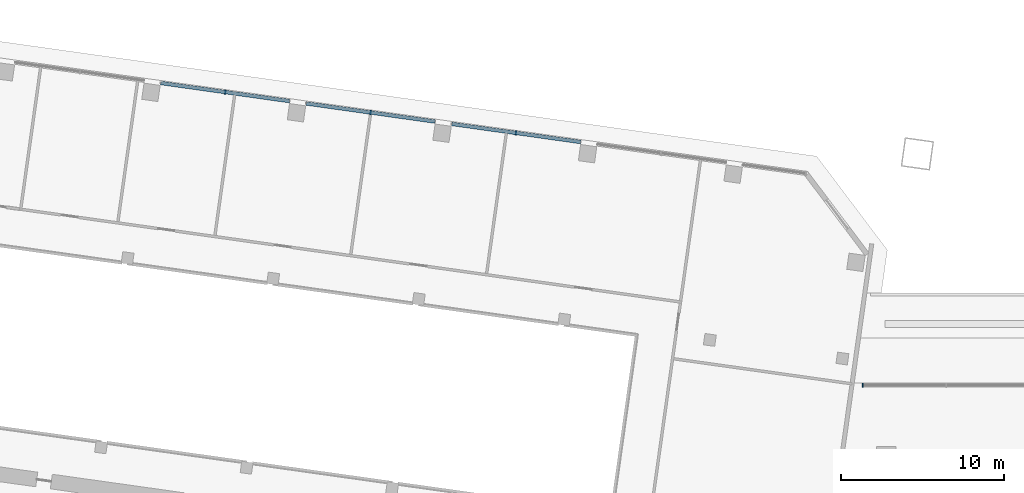
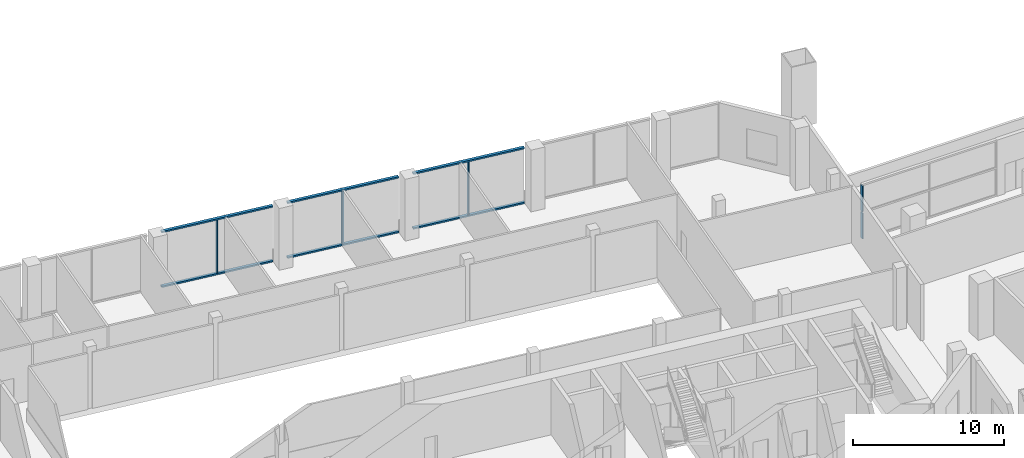
# One storey, part 3 of 21: 11 members, 2 elements without a shape of their own.
"""IFC4 building model written with IfcOpenShell, lengths in metres."""

from ifc_helpers import new_model, si_unit, direction, frame, origin, origin_2d, place, context, subcontext, project, spatial, rectangle, extrude, material, material_profile, profile_set, type_object, element, aggregate, save


model = new_model("IFC4")

# Units and contexts
model_context = context("Model", 3, precision=1e-05, world=origin(), true_north=direction((0.0, 1.0)))
body_context = subcontext(model_context, "Body", "Model", "MODEL_VIEW")
ifc_project = project(units=[si_unit("LENGTHUNIT", "METRE"), si_unit("AREAUNIT", "SQUARE_METRE"), si_unit("VOLUMEUNIT", "CUBIC_METRE"), si_unit("PLANEANGLEUNIT", "RADIAN"), si_unit("MASSUNIT", "GRAM", prefix="KILO")], contexts=[model_context])

# Site, building, storey
site_placement = place(None, origin())
site = spatial("IfcSite", under=ifc_project, at=site_placement, CompositionType="ELEMENT")
building_placement = place(site_placement, origin())
building = spatial("IfcBuilding", under=site, at=building_placement, Name="Mirante Cascada Hotel Towers", CompositionType="ELEMENT")
storey_placement = place(building_placement, frame((0.0, 0.0, 34.5)))
storey = spatial("IfcBuildingStorey", under=building, at=storey_placement, Name="L05", CompositionType="ELEMENT", Elevation=34.5)

# Curtain wall, members
ifc_material_1 = material(Name="Aluminium mullion and transom frame with clear laminated glass", Category="aluminium")
curtain_wall_type = type_object("IfcCurtainWallType", Name="Podium curtain wall ECW3", PredefinedType="NOTDEFINED", material=ifc_material_1)
curtain_wall_1_placement = place(storey_placement, origin())
curtain_wall_1 = element("IfcCurtainWall", 1, at=curtain_wall_1_placement, inside=storey, type_object=curtain_wall_type, Name="Front podium glazing T1 L05", PredefinedType="NOTDEFINED")
ifc_material_2 = material(Name="Anodised aluminium extrusion", Category="aluminium")
ifc_material_profile_1 = material_profile(ifc_material_2, rectangle(XDim=0.26, YDim=0.08, at=origin_2d()), Name="ECW3 MULLION 80x260")
ifc_profile_set_1 = profile_set([ifc_material_profile_1], Name="Anodised aluminium extrusion")
member_type_1 = type_object("IfcMemberType", Name="ECW3 mullion 80x260", PredefinedType="MULLION", material=ifc_profile_set_1)
member_1_placement = place(storey_placement, frame((-67.4737, 22.3018, 0.12), z_axis=(0.0, 0.0, 1.0), x_axis=(0.1391731, 0.9902681, 0.0)))
member_1 = element("IfcMember", 2, at=member_1_placement, type_object=member_type_1, Name="ECW3 mullion 7", PredefinedType="MULLION", context=body_context, shape_type="SweptSolid", body=[
    extrude(rectangle(XDim=0.26, YDim=0.08, at=origin_2d()), origin(), (0.0, 0.0, 1.0), 4.31),
])
member_2_placement = place(storey_placement, frame((-58.5788, 21.0517, 0.12), z_axis=(0.0, 0.0, 1.0), x_axis=(0.1391731, 0.9902681, 0.0)))
member_2 = element("IfcMember", 3, at=member_2_placement, type_object=member_type_1, Name="ECW3 mullion 9", PredefinedType="MULLION", context=body_context, shape_type="SweptSolid", body=[
    extrude(rectangle(XDim=0.26, YDim=0.08, at=origin_2d()), origin(), (0.0, 0.0, 1.0), 4.31),
])
member_3_placement = place(storey_placement, frame((-49.684, 19.8017, 0.12), z_axis=(0.0, 0.0, 1.0), x_axis=(0.1391731, 0.9902681, 0.0)))
member_3 = element("IfcMember", 4, at=member_3_placement, type_object=member_type_1, Name="ECW3 mullion 11", PredefinedType="MULLION", context=body_context, shape_type="SweptSolid", body=[
    extrude(rectangle(XDim=0.26, YDim=0.08, at=origin_2d()), origin(), (0.0, 0.0, 1.0), 4.31),
])

curtain_wall_2_placement = place(storey_placement, origin())
curtain_wall_2 = element("IfcCurtainWall", 5, at=curtain_wall_2_placement, inside=storey, type_object=curtain_wall_type, Name="Podium curtain wall L05 run 3.5", PredefinedType="NOTDEFINED")
member_4_placement = place(storey_placement, frame((-28.4406, 4.35, 0.12), z_axis=(0.0, 0.0, 1.0), x_axis=(0.0, -1.0, 0.0)))
member_4 = element("IfcMember", 6, at=member_4_placement, type_object=member_type_1, Name="ECW3 mullion 3", PredefinedType="MULLION", context=body_context, shape_type="SweptSolid", body=[
    extrude(rectangle(XDim=0.26, YDim=0.08, at=origin_2d()), origin(), (0.0, 0.0, 1.0), 2.095),
])
member_5_placement = place(storey_placement, frame((-28.4406, 4.35, 2.335), z_axis=(0.0, 0.0, 1.0), x_axis=(0.0, -1.0, 0.0)))
member_5 = element("IfcMember", 7, at=member_5_placement, type_object=member_type_1, Name="ECW3 mullion 3", PredefinedType="MULLION", context=body_context, shape_type="SweptSolid", body=[
    extrude(rectangle(XDim=0.26, YDim=0.08, at=origin_2d()), origin(), (0.0, 0.0, 1.0), 2.095),
])
aggregate(curtain_wall_2, [member_4, member_5])

# Member
ifc_material_3 = material(Name="Anodised aluminium extrusion", Category="aluminium")
ifc_material_profile_2 = material_profile(ifc_material_3, rectangle(XDim=0.22, YDim=0.12, at=origin_2d()), Name="ECW3 TRANSOM 120x220")
ifc_profile_set_2 = profile_set([ifc_material_profile_2], Name="Anodised aluminium extrusion")
member_type_2 = type_object("IfcMemberType", Name="ECW3 transom 120x220", PredefinedType="USERDEFINED", material=ifc_profile_set_2)
member_6_placement = place(storey_placement, frame((-71.4237, 22.857, 0.06), z_axis=(0.9902683, -0.1391715, 0.0), x_axis=(0.1391715, 0.9902683, 0.0)))
member_6 = element("IfcMember", 8, at=member_6_placement, type_object=member_type_2, Name="ECW3 sill transom", ObjectType="TRANSOM", PredefinedType="USERDEFINED", context=body_context, shape_type="SweptSolid", body=[
    extrude(rectangle(XDim=0.22, YDim=0.12, at=origin_2d()), origin(), (0.0, 0.0, 1.0), 7.96),
])

member_7_placement = place(storey_placement, frame((-62.5113, 21.6044, 0.06), z_axis=(0.9902683, -0.1391715, 0.0), x_axis=(0.1391715, 0.9902683, 0.0)))
member_7 = element("IfcMember", 9, at=member_7_placement, type_object=member_type_2, Name="ECW3 sill transom", ObjectType="TRANSOM", PredefinedType="USERDEFINED", context=body_context, shape_type="SweptSolid", body=[
    extrude(rectangle(XDim=0.22, YDim=0.12, at=origin_2d()), origin(), (0.0, 0.0, 1.0), 7.96),
])

member_8_placement = place(storey_placement, frame((-53.5989, 20.3519, 0.06), z_axis=(0.9902666, -0.1391838, 0.0), x_axis=(0.1391838, 0.9902666, 0.0)))
member_8 = element("IfcMember", 10, at=member_8_placement, type_object=member_type_2, Name="ECW3 sill transom", ObjectType="TRANSOM", PredefinedType="USERDEFINED", context=body_context, shape_type="SweptSolid", body=[
    extrude(rectangle(XDim=0.22, YDim=0.12, at=origin_2d()), origin(), (0.0, 0.0, 1.0), 7.96),
])

member_9_placement = place(storey_placement, frame((-71.4237, 22.857, 4.49), z_axis=(0.9902683, -0.1391715, 0.0), x_axis=(0.1391715, 0.9902683, 0.0)))
member_9 = element("IfcMember", 11, at=member_9_placement, type_object=member_type_2, Name="ECW3 head transom", ObjectType="TRANSOM", PredefinedType="USERDEFINED", context=body_context, shape_type="SweptSolid", body=[
    extrude(rectangle(XDim=0.22, YDim=0.12, at=origin_2d()), origin(), (0.0, 0.0, 1.0), 7.96),
])

member_10_placement = place(storey_placement, frame((-62.5113, 21.6044, 4.49), z_axis=(0.9902683, -0.1391715, 0.0), x_axis=(0.1391715, 0.9902683, 0.0)))
member_10 = element("IfcMember", 12, at=member_10_placement, type_object=member_type_2, Name="ECW3 head transom", ObjectType="TRANSOM", PredefinedType="USERDEFINED", context=body_context, shape_type="SweptSolid", body=[
    extrude(rectangle(XDim=0.22, YDim=0.12, at=origin_2d()), origin(), (0.0, 0.0, 1.0), 7.96),
])

member_11_placement = place(storey_placement, frame((-53.5989, 20.3519, 4.49), z_axis=(0.9902666, -0.1391838, 0.0), x_axis=(0.1391838, 0.9902666, 0.0)))
member_11 = element("IfcMember", 13, at=member_11_placement, type_object=member_type_2, Name="ECW3 head transom", ObjectType="TRANSOM", PredefinedType="USERDEFINED", context=body_context, shape_type="SweptSolid", body=[
    extrude(rectangle(XDim=0.22, YDim=0.12, at=origin_2d()), origin(), (0.0, 0.0, 1.0), 7.96),
])

aggregate(curtain_wall_1, [member_6, member_7, member_8, member_9, member_10, member_11, member_1, member_2, member_3])

save(model, "model.ifc")
